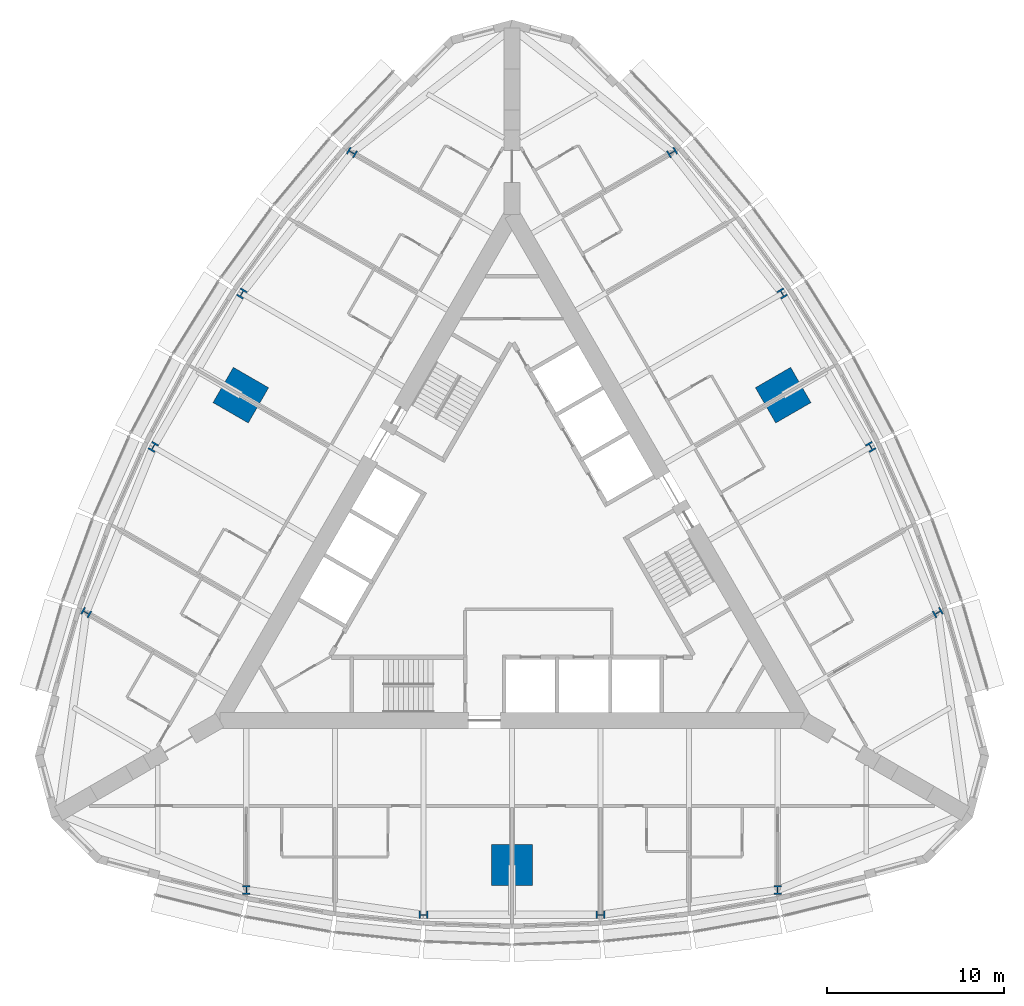
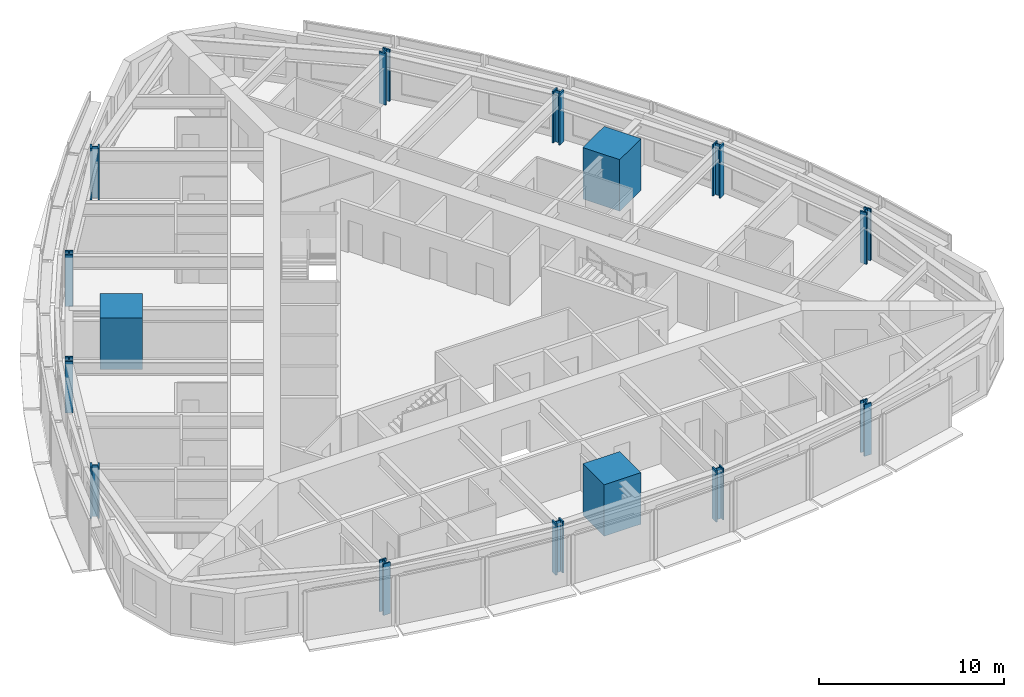
# One storey, part 1 of 14: 15 columns.
"""IFC4 building model written with IfcOpenShell, lengths in metres."""

from ifc_helpers import new_model, si_unit, direction, frame, origin, origin_2d, place, context, subcontext, project, spatial, rectangle, i_section, extrude, material, material_profile, profile_set, type_object, element, save


model = new_model("IFC4")

# Units and contexts
model_context = context("Model", 3, precision=1e-05, world=origin(), true_north=direction((0.0, 1.0)))
body_context = subcontext(model_context, "Body", "Model", "MODEL_VIEW")
ifc_project = project(units=[si_unit("LENGTHUNIT", "METRE"), si_unit("AREAUNIT", "SQUARE_METRE"), si_unit("VOLUMEUNIT", "CUBIC_METRE"), si_unit("PLANEANGLEUNIT", "RADIAN"), si_unit("MASSUNIT", "GRAM", prefix="KILO")], contexts=[model_context])

# Site, building, storey
site_placement = place(None, origin())
site = spatial("IfcSite", under=ifc_project, at=site_placement, CompositionType="ELEMENT")
building_placement = place(site_placement, origin())
building = spatial("IfcBuilding", under=site, at=building_placement, Name="Trikona Tower", CompositionType="ELEMENT")
storey_placement = place(building_placement, frame((0.0, 0.0, 155.5)))
storey = spatial("IfcBuildingStorey", under=building, at=storey_placement, Name="L41", CompositionType="ELEMENT", Elevation=155.5)

# Columns
ifc_material_1 = material(Name="Concrete f'c 10000 psi with encased steel section", Category="concrete")
ifc_material_profile_1 = material_profile(ifc_material_1, rectangle(XDim=2.300048828125, YDim=2.300048828125, at=origin_2d()), Name="MC2300")
ifc_profile_set_1 = profile_set([ifc_material_profile_1], Name="Concrete f'c 10000 psi with encased steel section")
column_type_1 = type_object("IfcColumnType", Name="Composite mega column 2300x2300", PredefinedType="COLUMN", material=ifc_profile_set_1)
for number, where, z_axis, x_axis, name in (
    (1, (0.0, -17.680419921875, 0.0), (0.0, 0.0, 1.0), (0.0, -1.0, 0.0), "Mega column MC1"),
    (2, (15.311767578125, 8.84033203125, 0.0), (0.0, 0.0, 1.0), (0.866025403784, 0.5, 0.0), "Mega column MC2"),
    (3, (-15.311767578125, 8.84033203125, 0.0), (0.0, 0.0, 1.0), (-0.866025403784, 0.5, 0.0), "Mega column MC3"),
):
    element("IfcColumn", number, at=place(storey_placement, frame(where, z_axis=z_axis, x_axis=x_axis)), inside=storey, type_object=column_type_1, Name=name, PredefinedType="COLUMN", context=body_context, shape_type="SweptSolid", body=[
        extrude(rectangle(XDim=2.300048828125, YDim=2.300048828125, at=origin_2d()), origin(), (0.0, 0.0, 1.0), 3.39990234375),
    ])
ifc_material_2 = material(Name="Steel ASTM A992 Grade 50", Category="steel")
ifc_material_profile_2 = material_profile(ifc_material_2, i_section(OverallWidth=0.431884765625, OverallDepth=0.497802734375, WebThickness=0.0556640625, FlangeThickness=0.0888671875, at=origin_2d()), Name="W14X500")
ifc_profile_set_2 = profile_set([ifc_material_profile_2], Name="Steel ASTM A992 Grade 50")
column_type_2 = type_object("IfcColumnType", Name="Steel column W14x500", PredefinedType="COLUMN", material=ifc_profile_set_2)
for number, where, z_axis, x_axis, name in (
    (4, (-15.0, -19.10009765625, 0.0), (0.0, 0.0, 1.0), (1.0, 0.0, 0.0), "Column F0m15"),
    (5, (-5.0, -20.500244140625, 0.0), (0.0, 0.0, 1.0), (0.0, -1.0, 0.0), "Column F0m5"),
    (6, (5.0, -20.500244140625, 0.0), (0.0, 0.0, 1.0), (0.0, -1.0, 0.0), "Column F0p5"),
    (7, (15.0, -19.10009765625, 0.0), (0.0, 0.0, 1.0), (1.0, 0.0, 0.0), "Column F0p15"),
    (8, (24.041259765625, -3.440185546875, 0.0), (0.0, 0.0, 1.0), (-0.5, 0.866025403784, 0.0), "Column F1m15"),
    (9, (20.253662109375, 5.919921875, 0.0), (0.0, 0.0, 1.0), (0.866025403784, 0.5, 0.0), "Column F1m5"),
    (10, (15.253662109375, 14.580078125, 0.0), (0.0, 0.0, 1.0), (0.866025403784, 0.5, 0.0), "Column F1p5"),
    (11, (9.041259765625, 22.54052734375, 0.0), (0.0, 0.0, 1.0), (-0.5, 0.866025403784, 0.0), "Column F1p15"),
    (12, (-9.041259765625, 22.54052734375, 0.0), (0.0, 0.0, 1.0), (-0.5, -0.866025403784, 0.0), "Column F2m15"),
    (13, (-15.253662109375, 14.580078125, 0.0), (0.0, 0.0, 1.0), (-0.866025403784, 0.5, 0.0), "Column F2m5"),
    (14, (-20.253662109375, 5.919921875, 0.0), (0.0, 0.0, 1.0), (-0.866025403784, 0.5, 0.0), "Column F2p5"),
    (15, (-24.041259765625, -3.440185546875, 0.0), (0.0, 0.0, 1.0), (-0.5, -0.866025403784, 0.0), "Column F2p15"),
):
    element("IfcColumn", number, at=place(storey_placement, frame(where, z_axis=z_axis, x_axis=x_axis)), inside=storey, type_object=column_type_2, Name=name, PredefinedType="COLUMN", context=body_context, shape_type="SweptSolid", body=[
        extrude(i_section(OverallWidth=0.431884765625, OverallDepth=0.497802734375, WebThickness=0.0556640625, FlangeThickness=0.0888671875, at=origin_2d()), origin(), (0.0, 0.0, 1.0), 3.39990234375),
    ])

save(model, "model.ifc")
